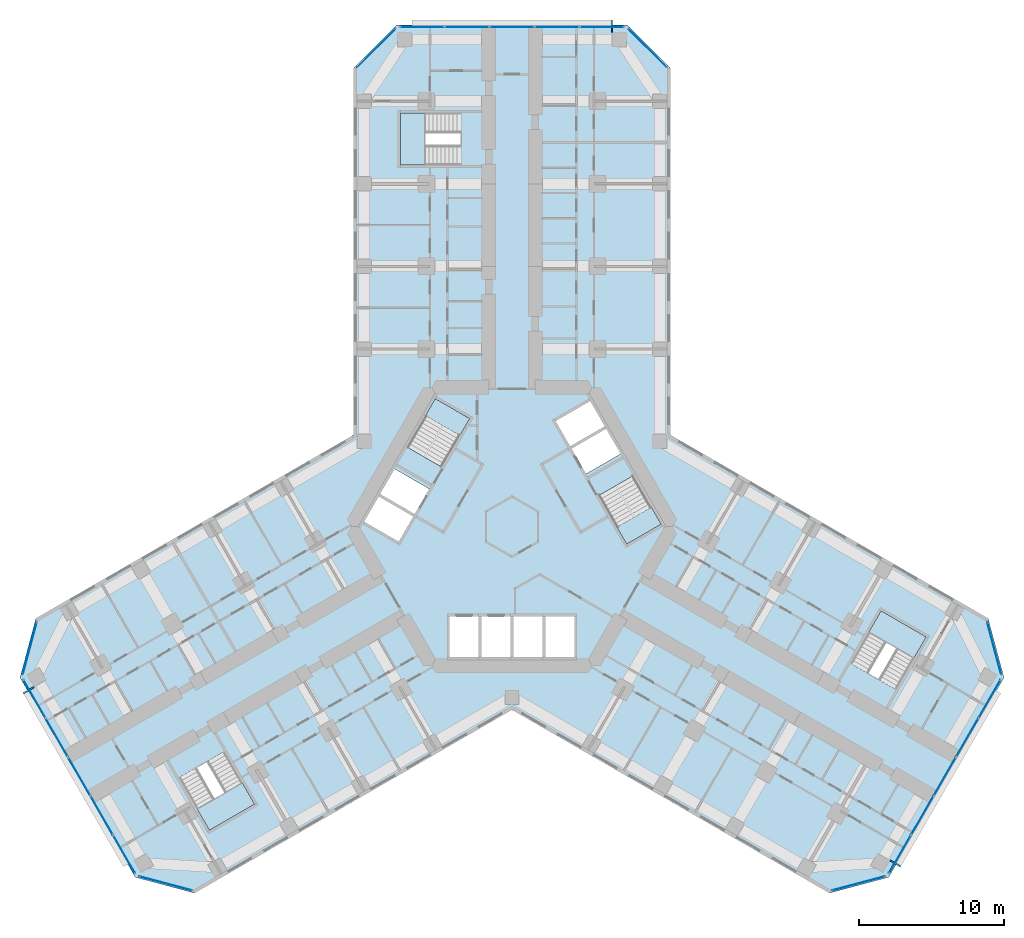
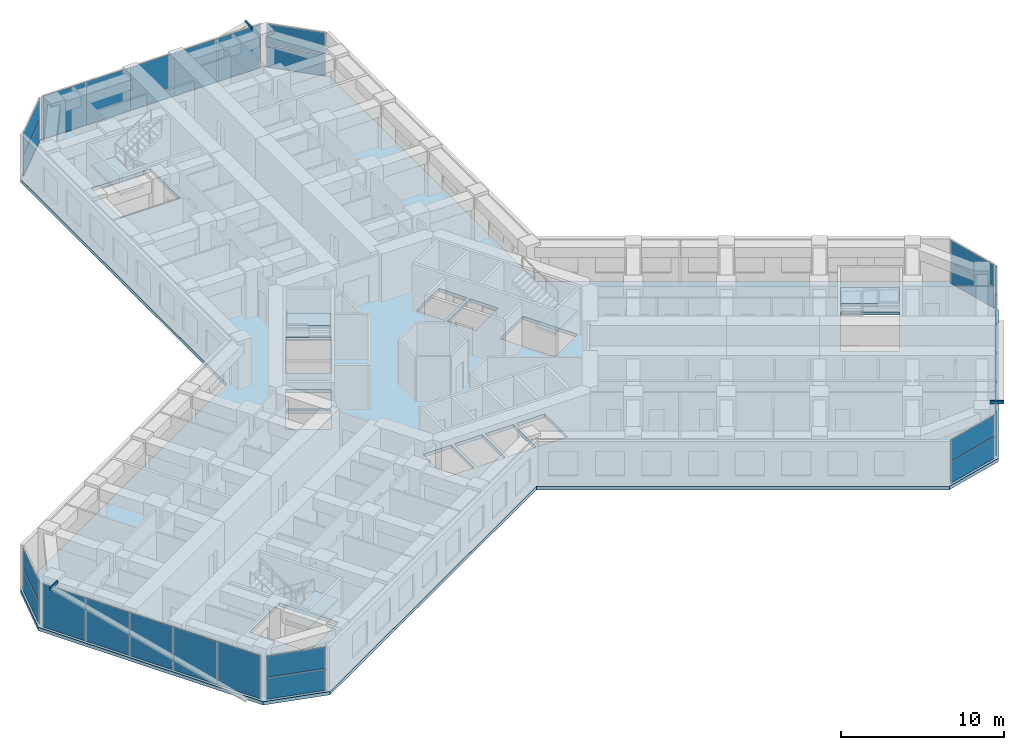
# One storey, part 9 of 21: 27 plates, 6 slabs, 3 members, 14 elements without a shape of their own.
"""IFC4 building model written with IfcOpenShell, lengths in metres."""

from ifc_helpers import new_model, si_unit, direction, frame, origin, origin_2d, place, context, subcontext, project, spatial, polyline, rectangle, hollow_rectangle, outline, extrude, material, layer, layer_set, material_profile, profile_set, type_object, element, aggregate, save


model = new_model("IFC4")

# Units and contexts
model_context = context("Model", 3, precision=1e-05, world=origin(), true_north=direction((0.0, 1.0)))
body_context = subcontext(model_context, "Body", "Model", "MODEL_VIEW")
ifc_project = project(units=[si_unit("LENGTHUNIT", "METRE"), si_unit("AREAUNIT", "SQUARE_METRE"), si_unit("VOLUMEUNIT", "CUBIC_METRE"), si_unit("PLANEANGLEUNIT", "RADIAN"), si_unit("MASSUNIT", "GRAM", prefix="KILO")], contexts=[model_context])

# Site, building, storey
site_placement = place(None, origin())
site = spatial("IfcSite", under=ifc_project, at=site_placement, CompositionType="ELEMENT")
building_placement = place(site_placement, origin())
building = spatial("IfcBuilding", under=site, at=building_placement, Name="Kosmar Iwan School Tower", CompositionType="ELEMENT")
storey_placement = place(building_placement, frame((0.0, 0.0, 71.800048828125)))
storey = spatial("IfcBuildingStorey", under=building, at=storey_placement, Name="L17", CompositionType="ELEMENT", Elevation=71.800048828125)

# Members
ifc_material_1 = material(Name="Steel S355", Category="steel")
ifc_material_profile = material_profile(ifc_material_1, hollow_rectangle(XDim=0.10009765625, YDim=0.199951171875, WallThickness=0.008056640625, at=origin_2d()), Name="RHS 200x100x8")
ifc_profile_set = profile_set([ifc_material_profile], Name="Steel S355")
member_type = type_object("IfcMemberType", Name="Fin bracket RHS 200x100", PredefinedType="USERDEFINED", material=ifc_profile_set)
member_1_placement = place(storey_placement, frame((26.08154296875, -23.025634765625, 3.474853515625), z_axis=(0.865989465428, -0.500062241894, 0.0), x_axis=(0.500062241894, 0.865989465428, 0.0)))
element("IfcMember", 1, at=member_1_placement, inside=storey, type_object=member_type, Name="Fin bracket L18", ObjectType="FIN BRACKET", PredefinedType="USERDEFINED", context=body_context, shape_type="SweptSolid", body=[
    extrude(hollow_rectangle(XDim=0.10009765625, YDim=0.199951171875, WallThickness=0.008056640625, at=origin_2d()), origin(), (0.0, 0.0, 1.0), 0.85009765625),
])
member_2_placement = place(storey_placement, frame((6.89990234375, 34.10009765625, 3.474853515625), z_axis=(0.0, 1.0, 0.0), x_axis=(-1.0, 0.0, 0.0)))
element("IfcMember", 2, at=member_2_placement, inside=storey, type_object=member_type, Name="Fin bracket L18", ObjectType="FIN BRACKET", PredefinedType="USERDEFINED", context=body_context, shape_type="SweptSolid", body=[
    extrude(hollow_rectangle(XDim=0.10009765625, YDim=0.199951171875, WallThickness=0.008056640625, at=origin_2d()), origin(), (0.0, 0.0, 1.0), 0.849853515625),
])
member_3_placement = place(storey_placement, frame((-32.9814453125, -11.074462890625, 3.474853515625), z_axis=(-0.865989465428, -0.500062241894, 0.0), x_axis=(0.500062241894, -0.865989465428, 0.0)))
element("IfcMember", 3, at=member_3_placement, inside=storey, type_object=member_type, Name="Fin bracket L18", ObjectType="FIN BRACKET", PredefinedType="USERDEFINED", context=body_context, shape_type="SweptSolid", body=[
    extrude(hollow_rectangle(XDim=0.10009765625, YDim=0.199951171875, WallThickness=0.008056640625, at=origin_2d()), origin(), (0.0, 0.0, 1.0), 0.85009765625),
])

# Curtain wall, plates
ifc_material_2 = material(Name="Dark glass in black aluminium frame", Category="aluminium")
curtain_wall_type_1 = type_object("IfcCurtainWallType", Name="Chamfer curtain wall dark glass", PredefinedType="USERDEFINED", material=ifc_material_2)
curtain_wall_1_placement = place(storey_placement, origin())
curtain_wall_1 = element("IfcCurtainWall", 4, at=curtain_wall_1_placement, inside=storey, type_object=curtain_wall_type_1, Name="Curtain wall L17-F02", ObjectType="FACETED CURTAIN WALL", PredefinedType="USERDEFINED")
ifc_material_3 = material(Name="Dark glass", Category="glass")
ifc_layer_1 = layer(ifc_material_3, 0.028076171875)
ifc_layer_set_1 = layer_set([ifc_layer_1], Name="Dark glass panel 28")
plate_type = type_object("IfcPlateType", Name="Dark glass panel 28", PredefinedType="CURTAIN_PANEL", material=ifc_layer_set_1)
plate_1_placement = place(storey_placement, frame((23.908203125, -24.61328125, 0.06005859375), z_axis=(0.0, 0.0, 1.0), x_axis=(0.965925875495, 0.258818861462, 0.0)))
plate_1 = element("IfcPlate", 5, at=plate_1_placement, type_object=plate_type, Name="CW2 panel 1.1", PredefinedType="CURTAIN_PANEL", context=body_context, shape_type="SweptSolid", body=[
    extrude(rectangle(XDim=3.718994140625, YDim=0.028076171875, at=origin_2d()), origin(), (0.0, 0.0, 1.0), 1.5849609375),
])
plate_2_placement = place(storey_placement, frame((23.908203125, -24.61328125, 1.705078125), z_axis=(0.0, 0.0, 1.0), x_axis=(0.965925875495, 0.258818861462, 0.0)))
plate_2 = element("IfcPlate", 6, at=plate_2_placement, type_object=plate_type, Name="CW2 panel 1.2", PredefinedType="CURTAIN_PANEL", context=body_context, shape_type="SweptSolid", body=[
    extrude(rectangle(XDim=3.718994140625, YDim=0.028076171875, at=origin_2d()), origin(), (0.0, 0.0, 1.0), 1.5849609375),
])
aggregate(curtain_wall_1, [plate_1, plate_2])

ifc_material_4 = material(Name="Dark glass in black aluminium frame", Category="aluminium")
curtain_wall_type_2 = type_object("IfcCurtainWallType", Name="Tower curtain wall dark glass", PredefinedType="USERDEFINED", material=ifc_material_4)
curtain_wall_2_placement = place(storey_placement, origin())
curtain_wall_2 = element("IfcCurtainWall", 7, at=curtain_wall_2_placement, inside=storey, type_object=curtain_wall_type_2, Name="Curtain wall L17-F03", ObjectType="UNITISED CURTAIN WALL", PredefinedType="USERDEFINED")
plate_3_placement = place(storey_placement, frame((26.764404296875, -22.592529296875, 0.06005859375), z_axis=(0.0, 0.0, 1.0), x_axis=(0.499999997325, 0.866025405329, 0.0)))
plate_3 = element("IfcPlate", 8, at=plate_3_placement, type_object=plate_type, Name="CW1 panel 1.1", PredefinedType="CURTAIN_PANEL", context=body_context, shape_type="SweptSolid", body=[
    extrude(rectangle(XDim=3.00927734375, YDim=0.028076171875, at=origin_2d()), origin(), (0.0, 0.0, 1.0), 3.22998046875),
])
plate_4_placement = place(storey_placement, frame((28.306640625, -19.921630859375, 0.06005859375), z_axis=(0.0, 0.0, 1.0), x_axis=(0.499999997325, 0.866025405329, 0.0)))
plate_4 = element("IfcPlate", 9, at=plate_4_placement, type_object=plate_type, Name="CW1 panel 2.1", PredefinedType="CURTAIN_PANEL", context=body_context, shape_type="SweptSolid", body=[
    extrude(rectangle(XDim=3.039306640625, YDim=0.028076171875, at=origin_2d()), origin(), (0.0, 0.0, 1.0), 3.22998046875),
])
plate_5_placement = place(storey_placement, frame((29.856201171875, -17.237548828125, 0.06005859375), z_axis=(0.0, 0.0, 1.0), x_axis=(0.499999997325, 0.866025405329, 0.0)))
plate_5 = element("IfcPlate", 10, at=plate_5_placement, type_object=plate_type, Name="CW1 panel 3.1", PredefinedType="CURTAIN_PANEL", context=body_context, shape_type="SweptSolid", body=[
    extrude(rectangle(XDim=3.039306640625, YDim=0.028076171875, at=origin_2d()), origin(), (0.0, 0.0, 1.0), 3.22998046875),
])
plate_6_placement = place(storey_placement, frame((31.40576171875, -14.553466796875, 0.06005859375), z_axis=(0.0, 0.0, 1.0), x_axis=(0.499999997325, 0.866025405329, 0.0)))
plate_6 = element("IfcPlate", 11, at=plate_6_placement, type_object=plate_type, Name="CW1 panel 4.1", PredefinedType="CURTAIN_PANEL", context=body_context, shape_type="SweptSolid", body=[
    extrude(rectangle(XDim=3.039306640625, YDim=0.028076171875, at=origin_2d()), origin(), (0.0, 0.0, 1.0), 3.22998046875),
])
plate_7_placement = place(storey_placement, frame((32.947998046875, -11.88232421875, 0.06005859375), z_axis=(0.0, 0.0, 1.0), x_axis=(0.499999997325, 0.866025405329, 0.0)))
plate_7 = element("IfcPlate", 12, at=plate_7_placement, type_object=plate_type, Name="CW1 panel 5.1", PredefinedType="CURTAIN_PANEL", context=body_context, shape_type="SweptSolid", body=[
    extrude(rectangle(XDim=3.00927734375, YDim=0.028076171875, at=origin_2d()), origin(), (0.0, 0.0, 1.0), 3.22998046875),
])
aggregate(curtain_wall_2, [plate_3, plate_4, plate_5, plate_6, plate_7])

curtain_wall_3_placement = place(storey_placement, origin())
curtain_wall_3 = element("IfcCurtainWall", 13, at=curtain_wall_3_placement, inside=storey, type_object=curtain_wall_type_1, Name="Curtain wall L17-F04", ObjectType="FACETED CURTAIN WALL", PredefinedType="USERDEFINED")
plate_8_placement = place(storey_placement, frame((33.269775390625, -8.3984375, 0.06005859375), z_axis=(0.0, 0.0, 1.0), x_axis=(-0.258818861462, 0.965925875495, 0.0)))
plate_8 = element("IfcPlate", 14, at=plate_8_placement, type_object=plate_type, Name="CW2 panel 1.1", PredefinedType="CURTAIN_PANEL", context=body_context, shape_type="SweptSolid", body=[
    extrude(rectangle(XDim=3.718994140625, YDim=0.028076171875, at=origin_2d()), origin(), (0.0, 0.0, 1.0), 1.5849609375),
])
plate_9_placement = place(storey_placement, frame((33.269775390625, -8.3984375, 1.705078125), z_axis=(0.0, 0.0, 1.0), x_axis=(-0.258818861462, 0.965925875495, 0.0)))
plate_9 = element("IfcPlate", 15, at=plate_9_placement, type_object=plate_type, Name="CW2 panel 1.2", PredefinedType="CURTAIN_PANEL", context=body_context, shape_type="SweptSolid", body=[
    extrude(rectangle(XDim=3.718994140625, YDim=0.028076171875, at=origin_2d()), origin(), (0.0, 0.0, 1.0), 1.5849609375),
])
aggregate(curtain_wall_3, [plate_8, plate_9])

curtain_wall_4_placement = place(storey_placement, origin())
curtain_wall_4 = element("IfcCurtainWall", 16, at=curtain_wall_4_placement, inside=storey, type_object=curtain_wall_type_1, Name="Curtain wall L17-F07", ObjectType="FACETED CURTAIN WALL", PredefinedType="USERDEFINED")
plate_10_placement = place(storey_placement, frame((9.361572265625, 33.01171875, 0.06005859375), z_axis=(0.0, 0.0, 1.0), x_axis=(-0.707106781187, 0.707106781187, 0.0)))
plate_10 = element("IfcPlate", 17, at=plate_10_placement, type_object=plate_type, Name="CW2 panel 1.1", PredefinedType="CURTAIN_PANEL", context=body_context, shape_type="SweptSolid", body=[
    extrude(rectangle(XDim=3.718994140625, YDim=0.028076171875, at=origin_2d()), origin(), (0.0, 0.0, 1.0), 1.5849609375),
])
plate_11_placement = place(storey_placement, frame((9.361572265625, 33.01171875, 1.705078125), z_axis=(0.0, 0.0, 1.0), x_axis=(-0.707106781187, 0.707106781187, 0.0)))
plate_11 = element("IfcPlate", 18, at=plate_11_placement, type_object=plate_type, Name="CW2 panel 1.2", PredefinedType="CURTAIN_PANEL", context=body_context, shape_type="SweptSolid", body=[
    extrude(rectangle(XDim=3.718994140625, YDim=0.028076171875, at=origin_2d()), origin(), (0.0, 0.0, 1.0), 1.5849609375),
])
aggregate(curtain_wall_4, [plate_10, plate_11])

curtain_wall_5_placement = place(storey_placement, origin())
curtain_wall_5 = element("IfcCurtainWall", 19, at=curtain_wall_5_placement, inside=storey, type_object=curtain_wall_type_2, Name="Curtain wall L17-F08", ObjectType="UNITISED CURTAIN WALL", PredefinedType="USERDEFINED")
plate_12_placement = place(storey_placement, frame((6.18359375, 34.47509765625, 0.06005859375), z_axis=(0.0, 0.0, 1.0), x_axis=(-1.0, 0.0, 0.0)))
plate_12 = element("IfcPlate", 20, at=plate_12_placement, type_object=plate_type, Name="CW1 panel 1.1", PredefinedType="CURTAIN_PANEL", context=body_context, shape_type="SweptSolid", body=[
    extrude(rectangle(XDim=3.00927734375, YDim=0.028076171875, at=origin_2d()), origin(), (0.0, 0.0, 1.0), 3.22998046875),
])
plate_13_placement = place(storey_placement, frame((3.099365234375, 34.47509765625, 0.06005859375), z_axis=(0.0, 0.0, 1.0), x_axis=(-1.0, 0.0, 0.0)))
plate_13 = element("IfcPlate", 21, at=plate_13_placement, type_object=plate_type, Name="CW1 panel 2.1", PredefinedType="CURTAIN_PANEL", context=body_context, shape_type="SweptSolid", body=[
    extrude(rectangle(XDim=3.039306640625, YDim=0.028076171875, at=origin_2d()), origin(), (0.0, 0.0, 1.0), 3.22998046875),
])
plate_14_placement = place(storey_placement, frame((0.0, 34.47509765625, 0.06005859375), z_axis=(0.0, 0.0, 1.0), x_axis=(-1.0, 0.0, 0.0)))
plate_14 = element("IfcPlate", 22, at=plate_14_placement, type_object=plate_type, Name="CW1 panel 3.1", PredefinedType="CURTAIN_PANEL", context=body_context, shape_type="SweptSolid", body=[
    extrude(rectangle(XDim=3.039306640625, YDim=0.028076171875, at=origin_2d()), origin(), (0.0, 0.0, 1.0), 3.22998046875),
])
plate_15_placement = place(storey_placement, frame((-3.099365234375, 34.47509765625, 0.06005859375), z_axis=(0.0, 0.0, 1.0), x_axis=(-1.0, 0.0, 0.0)))
plate_15 = element("IfcPlate", 23, at=plate_15_placement, type_object=plate_type, Name="CW1 panel 4.1", PredefinedType="CURTAIN_PANEL", context=body_context, shape_type="SweptSolid", body=[
    extrude(rectangle(XDim=3.039306640625, YDim=0.028076171875, at=origin_2d()), origin(), (0.0, 0.0, 1.0), 3.22998046875),
])
plate_16_placement = place(storey_placement, frame((-6.18359375, 34.47509765625, 0.06005859375), z_axis=(0.0, 0.0, 1.0), x_axis=(-1.0, 0.0, 0.0)))
plate_16 = element("IfcPlate", 24, at=plate_16_placement, type_object=plate_type, Name="CW1 panel 5.1", PredefinedType="CURTAIN_PANEL", context=body_context, shape_type="SweptSolid", body=[
    extrude(rectangle(XDim=3.00927734375, YDim=0.028076171875, at=origin_2d()), origin(), (0.0, 0.0, 1.0), 3.22998046875),
])
aggregate(curtain_wall_5, [plate_12, plate_13, plate_14, plate_15, plate_16])

curtain_wall_6_placement = place(storey_placement, origin())
curtain_wall_6 = element("IfcCurtainWall", 25, at=curtain_wall_6_placement, inside=storey, type_object=curtain_wall_type_1, Name="Curtain wall L17-F09", ObjectType="FACETED CURTAIN WALL", PredefinedType="USERDEFINED")
plate_17_placement = place(storey_placement, frame((-9.361572265625, 33.01171875, 0.06005859375), z_axis=(0.0, 0.0, 1.0), x_axis=(-0.707106781187, -0.707106781187, 0.0)))
plate_17 = element("IfcPlate", 26, at=plate_17_placement, type_object=plate_type, Name="CW2 panel 1.1", PredefinedType="CURTAIN_PANEL", context=body_context, shape_type="SweptSolid", body=[
    extrude(rectangle(XDim=3.718994140625, YDim=0.028076171875, at=origin_2d()), origin(), (0.0, 0.0, 1.0), 1.5849609375),
])
plate_18_placement = place(storey_placement, frame((-9.361572265625, 33.01171875, 1.705078125), z_axis=(0.0, 0.0, 1.0), x_axis=(-0.707106781187, -0.707106781187, 0.0)))
plate_18 = element("IfcPlate", 27, at=plate_18_placement, type_object=plate_type, Name="CW2 panel 1.2", PredefinedType="CURTAIN_PANEL", context=body_context, shape_type="SweptSolid", body=[
    extrude(rectangle(XDim=3.718994140625, YDim=0.028076171875, at=origin_2d()), origin(), (0.0, 0.0, 1.0), 1.5849609375),
])
aggregate(curtain_wall_6, [plate_17, plate_18])

curtain_wall_7_placement = place(storey_placement, origin())
curtain_wall_7 = element("IfcCurtainWall", 28, at=curtain_wall_7_placement, inside=storey, type_object=curtain_wall_type_1, Name="Curtain wall L17-F12", ObjectType="FACETED CURTAIN WALL", PredefinedType="USERDEFINED")
plate_19_placement = place(storey_placement, frame((-33.269775390625, -8.3984375, 0.06005859375), z_axis=(0.0, 0.0, 1.0), x_axis=(-0.258818861462, -0.965925875495, 0.0)))
plate_19 = element("IfcPlate", 29, at=plate_19_placement, type_object=plate_type, Name="CW2 panel 1.1", PredefinedType="CURTAIN_PANEL", context=body_context, shape_type="SweptSolid", body=[
    extrude(rectangle(XDim=3.718994140625, YDim=0.028076171875, at=origin_2d()), origin(), (0.0, 0.0, 1.0), 1.5849609375),
])
plate_20_placement = place(storey_placement, frame((-33.269775390625, -8.3984375, 1.705078125), z_axis=(0.0, 0.0, 1.0), x_axis=(-0.258818861462, -0.965925875495, 0.0)))
plate_20 = element("IfcPlate", 30, at=plate_20_placement, type_object=plate_type, Name="CW2 panel 1.2", PredefinedType="CURTAIN_PANEL", context=body_context, shape_type="SweptSolid", body=[
    extrude(rectangle(XDim=3.718994140625, YDim=0.028076171875, at=origin_2d()), origin(), (0.0, 0.0, 1.0), 1.5849609375),
])
aggregate(curtain_wall_7, [plate_19, plate_20])

curtain_wall_8_placement = place(storey_placement, origin())
curtain_wall_8 = element("IfcCurtainWall", 31, at=curtain_wall_8_placement, inside=storey, type_object=curtain_wall_type_2, Name="Curtain wall L17-F13", ObjectType="UNITISED CURTAIN WALL", PredefinedType="USERDEFINED")
plate_21_placement = place(storey_placement, frame((-32.947998046875, -11.88232421875, 0.06005859375), z_axis=(0.0, 0.0, 1.0), x_axis=(0.499999997325, -0.866025405329, 0.0)))
plate_21 = element("IfcPlate", 32, at=plate_21_placement, type_object=plate_type, Name="CW1 panel 1.1", PredefinedType="CURTAIN_PANEL", context=body_context, shape_type="SweptSolid", body=[
    extrude(rectangle(XDim=3.00927734375, YDim=0.028076171875, at=origin_2d()), origin(), (0.0, 0.0, 1.0), 3.22998046875),
])
plate_22_placement = place(storey_placement, frame((-31.40576171875, -14.553466796875, 0.06005859375), z_axis=(0.0, 0.0, 1.0), x_axis=(0.499999997325, -0.866025405329, 0.0)))
plate_22 = element("IfcPlate", 33, at=plate_22_placement, type_object=plate_type, Name="CW1 panel 2.1", PredefinedType="CURTAIN_PANEL", context=body_context, shape_type="SweptSolid", body=[
    extrude(rectangle(XDim=3.039306640625, YDim=0.028076171875, at=origin_2d()), origin(), (0.0, 0.0, 1.0), 3.22998046875),
])
plate_23_placement = place(storey_placement, frame((-29.856201171875, -17.237548828125, 0.06005859375), z_axis=(0.0, 0.0, 1.0), x_axis=(0.499999997325, -0.866025405329, 0.0)))
plate_23 = element("IfcPlate", 34, at=plate_23_placement, type_object=plate_type, Name="CW1 panel 3.1", PredefinedType="CURTAIN_PANEL", context=body_context, shape_type="SweptSolid", body=[
    extrude(rectangle(XDim=3.039306640625, YDim=0.028076171875, at=origin_2d()), origin(), (0.0, 0.0, 1.0), 3.22998046875),
])
plate_24_placement = place(storey_placement, frame((-28.306640625, -19.921630859375, 0.06005859375), z_axis=(0.0, 0.0, 1.0), x_axis=(0.499999997325, -0.866025405329, 0.0)))
plate_24 = element("IfcPlate", 35, at=plate_24_placement, type_object=plate_type, Name="CW1 panel 4.1", PredefinedType="CURTAIN_PANEL", context=body_context, shape_type="SweptSolid", body=[
    extrude(rectangle(XDim=3.039306640625, YDim=0.028076171875, at=origin_2d()), origin(), (0.0, 0.0, 1.0), 3.22998046875),
])
plate_25_placement = place(storey_placement, frame((-26.764404296875, -22.592529296875, 0.06005859375), z_axis=(0.0, 0.0, 1.0), x_axis=(0.499999997325, -0.866025405329, 0.0)))
plate_25 = element("IfcPlate", 36, at=plate_25_placement, type_object=plate_type, Name="CW1 panel 5.1", PredefinedType="CURTAIN_PANEL", context=body_context, shape_type="SweptSolid", body=[
    extrude(rectangle(XDim=3.00927734375, YDim=0.028076171875, at=origin_2d()), origin(), (0.0, 0.0, 1.0), 3.22998046875),
])
aggregate(curtain_wall_8, [plate_21, plate_22, plate_23, plate_24, plate_25])

curtain_wall_9_placement = place(storey_placement, origin())
curtain_wall_9 = element("IfcCurtainWall", 37, at=curtain_wall_9_placement, inside=storey, type_object=curtain_wall_type_1, Name="Curtain wall L17-F14", ObjectType="FACETED CURTAIN WALL", PredefinedType="USERDEFINED")
plate_26_placement = place(storey_placement, frame((-23.908203125, -24.61328125, 0.06005859375), z_axis=(0.0, 0.0, 1.0), x_axis=(0.965925875495, -0.258818861462, 0.0)))
plate_26 = element("IfcPlate", 38, at=plate_26_placement, type_object=plate_type, Name="CW2 panel 1.1", PredefinedType="CURTAIN_PANEL", context=body_context, shape_type="SweptSolid", body=[
    extrude(rectangle(XDim=3.718994140625, YDim=0.028076171875, at=origin_2d()), origin(), (0.0, 0.0, 1.0), 1.5849609375),
])
plate_27_placement = place(storey_placement, frame((-23.908203125, -24.61328125, 1.705078125), z_axis=(0.0, 0.0, 1.0), x_axis=(0.965925875495, -0.258818861462, 0.0)))
plate_27 = element("IfcPlate", 39, at=plate_27_placement, type_object=plate_type, Name="CW2 panel 1.2", PredefinedType="CURTAIN_PANEL", context=body_context, shape_type="SweptSolid", body=[
    extrude(rectangle(XDim=3.718994140625, YDim=0.028076171875, at=origin_2d()), origin(), (0.0, 0.0, 1.0), 1.5849609375),
])
aggregate(curtain_wall_9, [plate_26, plate_27])

# Stair, slab
ifc_material_5 = material(Name="Concrete C35/45", Category="concrete")
stair_type_1 = type_object("IfcStairType", Name="Escape stair 3600", PredefinedType="HALF_TURN_STAIR", material=ifc_material_5)
stair_1_placement = place(storey_placement, origin())
stair_1 = element("IfcStair", 40, at=stair_1_placement, inside=storey, type_object=stair_type_1, Name="Stair WS1 L17", PredefinedType="HALF_TURN_STAIR")
ifc_material_6 = material(Name="Concrete C35/45", Category="concrete")
ifc_layer_2 = layer(ifc_material_6, 0.199951171875)
ifc_layer_set_2 = layer_set([ifc_layer_2], Name="Escape stair landing 200")
slab_type_1 = type_object("IfcSlabType", Name="Escape stair landing 200", PredefinedType="LANDING", material=ifc_layer_set_2)
slab_1_placement = place(storey_placement, frame((0.0, 0.0, 1.599853515625)))
slab_1 = element("IfcSlab", 41, at=slab_1_placement, type_object=slab_type_1, Name="WS1 landing 1", PredefinedType="LANDING", context=body_context, shape_type="SweptSolid", body=[
    extrude(outline(polyline([(-6.0, 24.949951171875), (-6.0, 28.550048828125), (-7.699951171875, 28.550048828125), (-7.699951171875, 24.949951171875), (-6.0, 24.949951171875)])), origin(), (0.0, 0.0, 1.0), 0.2001953125),
])
aggregate(stair_1, [slab_1])

stair_2_placement = place(storey_placement, origin())
stair_2 = element("IfcStair", 42, at=stair_2_placement, inside=storey, type_object=stair_type_1, Name="Stair WS2 L17", PredefinedType="HALF_TURN_STAIR")
slab_2_placement = place(storey_placement, frame((0.0, 0.0, 1.599853515625)))
slab_2 = element("IfcSlab", 43, at=slab_2_placement, type_object=slab_type_1, Name="WS2 landing 1", PredefinedType="LANDING", context=body_context, shape_type="SweptSolid", body=[
    extrude(outline(polyline([(-18.607421875, -17.671142578125), (-21.72509765625, -19.47119140625), (-20.875, -20.943359375), (-17.75732421875, -19.143310546875), (-18.607421875, -17.671142578125)])), origin(), (0.0, 0.0, 1.0), 0.2001953125),
])
aggregate(stair_2, [slab_2])

stair_3_placement = place(storey_placement, origin())
stair_3 = element("IfcStair", 44, at=stair_3_placement, inside=storey, type_object=stair_type_1, Name="Stair WS3 L17", PredefinedType="HALF_TURN_STAIR")
slab_3_placement = place(storey_placement, frame((0.0, 0.0, 1.599853515625)))
slab_3 = element("IfcSlab", 45, at=slab_3_placement, type_object=slab_type_1, Name="WS3 landing 1", PredefinedType="LANDING", context=body_context, shape_type="SweptSolid", body=[
    extrude(outline(polyline([(24.607421875, -7.27880859375), (27.72509765625, -9.078857421875), (28.574951171875, -7.606689453125), (25.457275390625, -5.806640625), (24.607421875, -7.27880859375)])), origin(), (0.0, 0.0, 1.0), 0.2001953125),
])
aggregate(stair_3, [slab_3])

# Slab
ifc_material_7 = material(Name="Concrete C35/45", Category="concrete")
ifc_layer_3 = layer(ifc_material_7, 0.25)
ifc_layer_set_3 = layer_set([ifc_layer_3], Name="Floor slab 250")
slab_type_2 = type_object("IfcSlabType", Name="Floor slab 250", PredefinedType="FLOOR", material=ifc_layer_set_3)
slab_4_placement = place(storey_placement, frame((0.0, 0.0, -0.25)))
element("IfcSlab", 46, at=slab_4_placement, inside=storey, type_object=slab_type_2, Name="L17 floor slab", PredefinedType="FLOOR", context=body_context, shape_type="SweptSolid", body=[
    extrude(outline(polyline([(-21.891357421875, -25.282958984375), (0.0, -12.64404296875), (21.891357421875, -25.282958984375), (25.989501953125, -24.184814453125), (33.939453125, -10.4150390625), (32.84130859375, -6.317138671875), (10.949951171875, 6.322021484375), (10.949951171875, 31.60009765625), (7.949951171875, 34.60009765625), (-7.949951171875, 34.60009765625), (-10.949951171875, 31.60009765625), (-10.949951171875, 6.322021484375), (-32.84130859375, -6.317138671875), (-33.939453125, -10.4150390625), (-25.989501953125, -24.184814453125), (-21.891357421875, -25.282958984375)]), holes=[polyline([(7.91259765625, -1.205078125), (10.294189453125, 0.169921875), (8.3642578125, 3.5126953125), (5.982666015625, 2.1376953125), (7.91259765625, -1.205078125)]), polyline([(-2.91259765625, 7.455078125), (-5.294189453125, 8.830078125), (-7.22412109375, 5.4873046875), (-4.8427734375, 4.1123046875), (-2.91259765625, 7.455078125)]), polyline([(-5.712646484375, 2.60546875), (-8.09423828125, 3.98046875), (-9.09423828125, 2.248291015625), (-6.712646484375, 0.873291015625), (-5.712646484375, 2.60546875)]), polyline([(-6.812744140625, 0.7001953125), (-9.1943359375, 2.0751953125), (-10.1943359375, 0.343017578125), (-7.812744140625, -1.031982421875), (-6.812744140625, 0.7001953125)]), polyline([(5.112548828125, 3.64453125), (7.494140625, 5.01953125), (6.494140625, 6.751708984375), (4.112548828125, 5.376708984375), (5.112548828125, 3.64453125)]), polyline([(4.0126953125, 5.5498046875), (6.394287109375, 6.9248046875), (5.394287109375, 8.656982421875), (3.0126953125, 7.281982421875), (4.0126953125, 5.5498046875)]), polyline([(-4.300048828125, -6.199951171875), (-4.300048828125, -9.0), (-2.300048828125, -9.0), (-2.300048828125, -6.199951171875), (-4.300048828125, -6.199951171875)]), polyline([(-2.10009765625, -6.199951171875), (-2.10009765625, -9.0), (-0.10009765625, -9.0), (-0.10009765625, -6.199951171875), (-2.10009765625, -6.199951171875)]), polyline([(0.10009765625, -6.199951171875), (0.10009765625, -9.0), (2.10009765625, -9.0), (2.10009765625, -6.199951171875), (0.10009765625, -6.199951171875)]), polyline([(2.300048828125, -6.199951171875), (2.300048828125, -9.0), (4.300048828125, -9.0), (4.300048828125, -6.199951171875), (2.300048828125, -6.199951171875)]), polyline([(-3.52001953125, 24.949951171875), (-3.52001953125, 28.550048828125), (-7.699951171875, 28.550048828125), (-7.699951171875, 24.949951171875), (-3.52001953125, 24.949951171875)]), polyline([(-19.847412109375, -15.5234375), (-22.965087890625, -17.323486328125), (-20.875, -20.943359375), (-17.75732421875, -19.143310546875), (-19.847412109375, -15.5234375)]), polyline([(23.367431640625, -9.426513671875), (26.485107421875, -11.2265625), (28.574951171875, -7.606689453125), (25.457275390625, -5.806640625), (23.367431640625, -9.426513671875)])]), origin(), (0.0, 0.0, 1.0), 0.25),
])

# Stair, slab
ifc_material_8 = material(Name="Concrete C35/45", Category="concrete")
stair_type_2 = type_object("IfcStairType", Name="Core stair 2750", PredefinedType="HALF_TURN_STAIR", material=ifc_material_8)
stair_4_placement = place(storey_placement, origin())
stair_4 = element("IfcStair", 47, at=stair_4_placement, inside=storey, type_object=stair_type_2, Name="Stair ST2 L17", PredefinedType="HALF_TURN_STAIR")
ifc_material_9 = material(Name="Concrete C35/45", Category="concrete")
ifc_layer_4 = layer(ifc_material_9, 0.199951171875)
ifc_layer_set_4 = layer_set([ifc_layer_4], Name="Stair landing 200")
slab_type_3 = type_object("IfcSlabType", Name="Stair landing 200", PredefinedType="LANDING", material=ifc_layer_set_4)
slab_5_placement = place(storey_placement, frame((0.0, 0.0, 1.599853515625)))
slab_5 = element("IfcSlab", 48, at=slab_5_placement, type_object=slab_type_3, Name="ST2 landing 1", PredefinedType="LANDING", context=body_context, shape_type="SweptSolid", body=[
    extrude(outline(polyline([(-2.91259765625, 7.455078125), (-5.294189453125, 8.830078125), (-5.97412109375, 7.65234375), (-3.5927734375, 6.27734375), (-2.91259765625, 7.455078125)])), origin(), (0.0, 0.0, 1.0), 0.2001953125),
])
aggregate(stair_4, [slab_5])

stair_5_placement = place(storey_placement, origin())
stair_5 = element("IfcStair", 49, at=stair_5_placement, inside=storey, type_object=stair_type_2, Name="Stair ST1 L17", PredefinedType="HALF_TURN_STAIR")
slab_6_placement = place(storey_placement, frame((0.0, 0.0, 1.599853515625)))
slab_6 = element("IfcSlab", 50, at=slab_6_placement, type_object=slab_type_3, Name="ST1 landing 1", PredefinedType="LANDING", context=body_context, shape_type="SweptSolid", body=[
    extrude(outline(polyline([(7.91259765625, -1.205078125), (10.294189453125, 0.169921875), (9.6142578125, 1.34765625), (7.232666015625, -0.02734375), (7.91259765625, -1.205078125)])), origin(), (0.0, 0.0, 1.0), 0.2001953125),
])
aggregate(stair_5, [slab_6])

save(model, "model.ifc")
